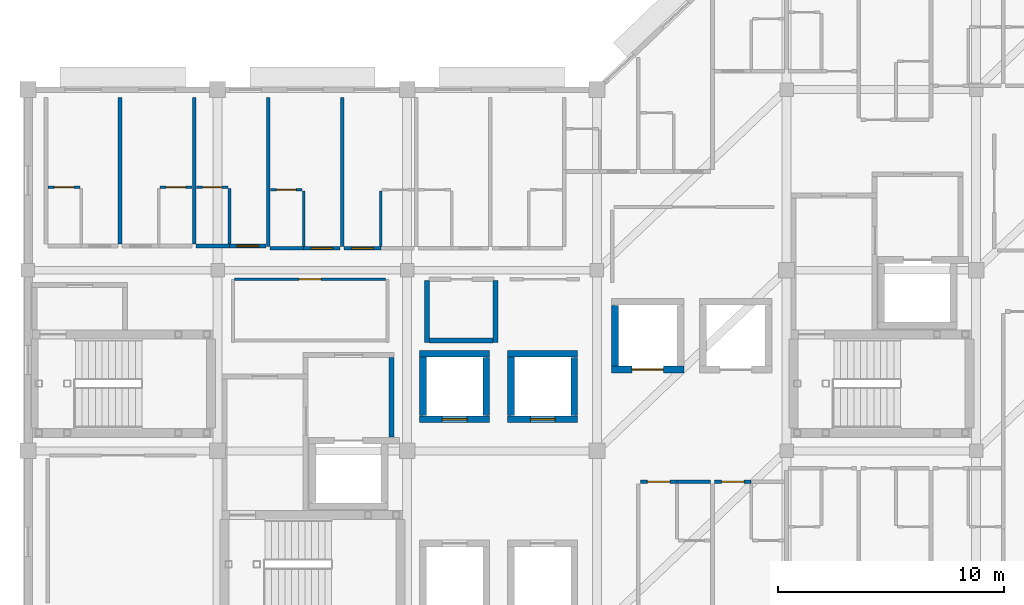
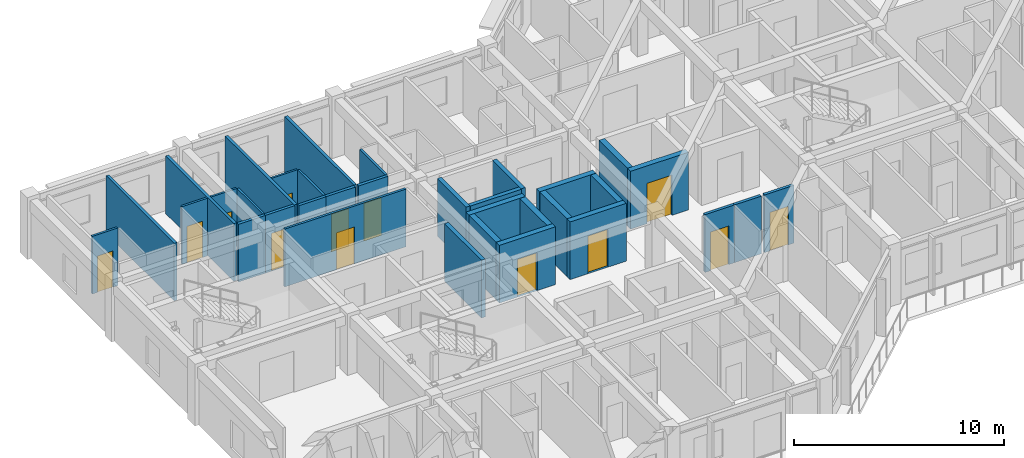
# One storey, part 7 of 15: 34 walls, 13 doors, 13 openings.
"""IFC4 building model written with IfcOpenShell, lengths in metres."""

from ifc_helpers import new_model, si_unit, direction, frame, frame_2d, origin, place, context, subcontext, project, spatial, rectangle, extrude, material, layer, layer_set, type_object, element, fill, save


model = new_model("IFC4")

# Units and contexts
model_context = context("Model", 3, precision=1e-05, world=origin(), true_north=direction((0.0, 1.0)))
body_context = subcontext(model_context, "Body", "Model", "MODEL_VIEW")
ifc_project = project(units=[si_unit("LENGTHUNIT", "METRE"), si_unit("AREAUNIT", "SQUARE_METRE"), si_unit("VOLUMEUNIT", "CUBIC_METRE"), si_unit("PLANEANGLEUNIT", "RADIAN"), si_unit("MASSUNIT", "GRAM", prefix="KILO")], contexts=[model_context])

# Site, building, storey
site_placement = place(None, origin())
site = spatial("IfcSite", under=ifc_project, at=site_placement, CompositionType="ELEMENT")
building_placement = place(site_placement, origin())
building = spatial("IfcBuilding", under=site, at=building_placement, Name="Naruveol Harbour Congress Hotel", CompositionType="ELEMENT")
storey_placement = place(building_placement, frame((0.0, 0.0, 36.0)))
storey = spatial("IfcBuildingStorey", under=building, at=storey_placement, Name="L08", CompositionType="ELEMENT", Elevation=36.0)

# Wall, opening, door
ifc_material_1 = material(Name="Moisture-Resistant Gypsum Partition", Category="gypsum")
ifc_layer_1 = layer(ifc_material_1, 0.114990234375)
ifc_layer_set_1 = layer_set([ifc_layer_1], Name="Moisture-Resistant Gypsum Partition")
wall_type_1 = type_object("IfcWallType", Name="BATHROOM MOISTURE PARTITION WALL 115", PredefinedType="PARTITIONING", material=ifc_layer_set_1)
wall_1_placement = place(storey_placement, frame((118.5, 27.669921875, 0.0), z_axis=(0.0, 0.0, 1.0), x_axis=(1.0, 0.0, 0.0)))
wall_1 = element("IfcWall", 1, at=wall_1_placement, inside=storey, type_object=wall_type_1, Name="Bathroom north wall 0936 PW-115", PredefinedType="PARTITIONING", context=body_context, shape_type="SweptSolid", body=[
    extrude(rectangle(XDim=1.409912109375, YDim=0.114990234375, at=frame_2d((0.705078125, 0.0))), origin(), (0.0, 0.0, 1.0), 3.364990234375),
])
opening_1_placement = place(wall_1_placement, frame((0.27490234375, 0.0, 0.0)))
opening_1 = element("IfcOpeningElement", 2, at=opening_1_placement, cuts=wall_1, Name="Opening BD-RM0936", PredefinedType="OPENING", context=body_context, shape_type="SweptSolid", body=[
    extrude(rectangle(XDim=0.860107421875, YDim=2.1201171875, at=frame_2d((0.43017578125, 1.06005859375))), frame((0.0, 0.0673828125, 0.0), z_axis=(0.0, -1.0, 0.0), x_axis=(1.0, 0.0, 0.0)), (0.0, 0.0, 1.0), 0.135009765625),
])
ifc_material_2 = material(Name="Timber & Steel Acoustic Leaf", Category="steel")
door_type_1 = type_object("IfcDoorType", Name="GUEST BATHROOM DOOR 860X2120", OperationType="NOTDEFINED", PredefinedType="DOOR", material=ifc_material_2)
door_1_placement = place(opening_1_placement, origin())
door_1 = element("IfcDoor", 3, at=door_1_placement, inside=storey, type_object=door_type_1, Name="Bathroom Door 0936", OperationType="SINGLE_SWING_RIGHT", OverallHeight=2.1201171875, OverallWidth=0.860107421875, PredefinedType="DOOR", context=body_context, shape_type="SweptSolid", body=[
    extrude(rectangle(XDim=0.860107421875, YDim=2.1201171875, at=frame_2d((0.43017578125, 1.06005859375))), frame((0.0, 0.02490234375, 0.0), z_axis=(0.0, -1.0, 0.0), x_axis=(1.0, 0.0, 0.0)), (0.0, 0.0, 1.0), 0.050048828125),
])
fill(opening_1, door_1)

wall_2_placement = place(storey_placement, frame((123.449951171875, 27.669921875, 0.0), z_axis=(0.0, 0.0, 1.0), x_axis=(1.0, 0.0, 0.0)))
wall_2 = element("IfcWall", 4, at=wall_2_placement, inside=storey, type_object=wall_type_1, Name="Bathroom north wall 0937 PW-115", PredefinedType="PARTITIONING", context=body_context, shape_type="SweptSolid", body=[
    extrude(rectangle(XDim=1.41015625, YDim=0.114990234375, at=frame_2d((0.705078125, 0.0))), origin(), (0.0, 0.0, 1.0), 3.364990234375),
])
opening_2_placement = place(wall_2_placement, frame((0.27490234375, 0.0, 0.0)))
opening_2 = element("IfcOpeningElement", 5, at=opening_2_placement, cuts=wall_2, Name="Opening BD-RM0937", PredefinedType="OPENING", context=body_context, shape_type="SweptSolid", body=[
    extrude(rectangle(XDim=0.860107421875, YDim=2.1201171875, at=frame_2d((0.43017578125, 1.06005859375))), frame((0.0, 0.0673828125, 0.0), z_axis=(0.0, -1.0, 0.0), x_axis=(1.0, 0.0, 0.0)), (0.0, 0.0, 1.0), 0.135009765625),
])
door_2_placement = place(opening_2_placement, origin())
door_2 = element("IfcDoor", 6, at=door_2_placement, inside=storey, type_object=door_type_1, Name="Bathroom Door 0937", OperationType="SINGLE_SWING_RIGHT", OverallHeight=2.1201171875, OverallWidth=0.860107421875, PredefinedType="DOOR", context=body_context, shape_type="SweptSolid", body=[
    extrude(rectangle(XDim=0.860107421875, YDim=2.1201171875, at=frame_2d((0.43017578125, 1.06005859375))), frame((0.0, 0.02490234375, 0.0), z_axis=(0.0, -1.0, 0.0), x_axis=(1.0, 0.0, 0.0)), (0.0, 0.0, 1.0), 0.050048828125),
])
fill(opening_2, door_2)

# Wall
wall_3_placement = place(storey_placement, frame((126.530029296875, 25.159912109375, 0.0), z_axis=(0.0, 0.0, 1.0), x_axis=(0.0, 1.0, 0.0)))
element("IfcWall", 7, at=wall_3_placement, inside=storey, type_object=wall_type_1, Name="Bathroom east wall 0938 PW-115", PredefinedType="PARTITIONING", context=body_context, shape_type="SweptSolid", body=[
    extrude(rectangle(XDim=2.4501953125, YDim=0.114990234375, at=frame_2d((1.22509765625, 0.0))), origin(), (0.0, 0.0, 1.0), 3.364990234375),
])

# Wall, opening, door
wall_4_placement = place(storey_placement, frame((125.06005859375, 27.669921875, 0.0), z_axis=(0.0, 0.0, 1.0), x_axis=(1.0, 0.0, 0.0)))
wall_4 = element("IfcWall", 8, at=wall_4_placement, inside=storey, type_object=wall_type_1, Name="Bathroom north wall 0938 PW-115", PredefinedType="PARTITIONING", context=body_context, shape_type="SweptSolid", body=[
    extrude(rectangle(XDim=1.409912109375, YDim=0.114990234375, at=frame_2d((0.705078125, 0.0))), origin(), (0.0, 0.0, 1.0), 3.364990234375),
])
opening_3_placement = place(wall_4_placement, frame((0.27490234375, 0.0, 0.0)))
opening_3 = element("IfcOpeningElement", 9, at=opening_3_placement, cuts=wall_4, Name="Opening BD-RM0938", PredefinedType="OPENING", context=body_context, shape_type="SweptSolid", body=[
    extrude(rectangle(XDim=0.860107421875, YDim=2.1201171875, at=frame_2d((0.43017578125, 1.06005859375))), frame((0.0, 0.0673828125, 0.0), z_axis=(0.0, -1.0, 0.0), x_axis=(1.0, 0.0, 0.0)), (0.0, 0.0, 1.0), 0.135009765625),
])
door_3_placement = place(opening_3_placement, origin())
door_3 = element("IfcDoor", 10, at=door_3_placement, inside=storey, type_object=door_type_1, Name="Bathroom Door 0938", OperationType="SINGLE_SWING_RIGHT", OverallHeight=2.1201171875, OverallWidth=0.860107421875, PredefinedType="DOOR", context=body_context, shape_type="SweptSolid", body=[
    extrude(rectangle(XDim=0.860107421875, YDim=2.1201171875, at=frame_2d((0.43017578125, 1.06005859375))), frame((0.0, 0.02490234375, 0.0), z_axis=(0.0, -1.0, 0.0), x_axis=(1.0, 0.0, 0.0)), (0.0, 0.0, 1.0), 0.050048828125),
])
fill(opening_3, door_3)

# Wall
wall_5_placement = place(storey_placement, frame((129.81005859375, 25.06005859375, 0.0), z_axis=(0.0, 0.0, 1.0), x_axis=(0.0, 1.0, 0.0)))
element("IfcWall", 11, at=wall_5_placement, inside=storey, type_object=wall_type_1, Name="Bathroom east wall 0939 PW-115", PredefinedType="PARTITIONING", context=body_context, shape_type="SweptSolid", body=[
    extrude(rectangle(XDim=2.449951171875, YDim=0.114990234375, at=frame_2d((1.22509765625, 0.0))), origin(), (0.0, 0.0, 1.0), 3.364990234375),
])

# Wall, opening, door
wall_6_placement = place(storey_placement, frame((128.340087890625, 27.570068359375, 0.0), z_axis=(0.0, 0.0, 1.0), x_axis=(1.0, 0.0, 0.0)))
wall_6 = element("IfcWall", 12, at=wall_6_placement, inside=storey, type_object=wall_type_1, Name="Bathroom north wall 0939 PW-115", PredefinedType="PARTITIONING", context=body_context, shape_type="SweptSolid", body=[
    extrude(rectangle(XDim=1.409912109375, YDim=0.114990234375, at=frame_2d((0.705078125, 0.0))), origin(), (0.0, 0.0, 1.0), 3.364990234375),
])
opening_4_placement = place(wall_6_placement, frame((0.27490234375, 0.0, 0.0)))
opening_4 = element("IfcOpeningElement", 13, at=opening_4_placement, cuts=wall_6, Name="Opening BD-RM0939", PredefinedType="OPENING", context=body_context, shape_type="SweptSolid", body=[
    extrude(rectangle(XDim=0.860107421875, YDim=2.1201171875, at=frame_2d((0.43017578125, 1.06005859375))), frame((0.0, 0.0673828125, 0.0), z_axis=(0.0, -1.0, 0.0), x_axis=(1.0, 0.0, 0.0)), (0.0, 0.0, 1.0), 0.135009765625),
])
door_4_placement = place(opening_4_placement, origin())
door_4 = element("IfcDoor", 14, at=door_4_placement, inside=storey, type_object=door_type_1, Name="Bathroom Door 0939", OperationType="SINGLE_SWING_RIGHT", OverallHeight=2.1201171875, OverallWidth=0.860107421875, PredefinedType="DOOR", context=body_context, shape_type="SweptSolid", body=[
    extrude(rectangle(XDim=0.860107421875, YDim=2.1201171875, at=frame_2d((0.43017578125, 1.06005859375))), frame((0.0, 0.02490234375, 0.0), z_axis=(0.0, -1.0, 0.0), x_axis=(1.0, 0.0, 0.0)), (0.0, 0.0, 1.0), 0.050048828125),
])
fill(opening_4, door_4)

# Walls
wall_7_placement = place(storey_placement, frame((133.22998046875, 25.06005859375, 0.0), z_axis=(0.0, 0.0, 1.0), x_axis=(0.0, 1.0, 0.0)))
element("IfcWall", 15, at=wall_7_placement, inside=storey, type_object=wall_type_1, Name="Bathroom west wall 0940 PW-115", PredefinedType="PARTITIONING", context=body_context, shape_type="SweptSolid", body=[
    extrude(rectangle(XDim=2.449951171875, YDim=0.114990234375, at=frame_2d((1.22509765625, 0.0))), origin(), (0.0, 0.0, 1.0), 3.364990234375),
])
ifc_material_3 = material(Name="Concrete C40/50", Category="concrete")
ifc_layer_2 = layer(ifc_material_3, 0.219970703125)
ifc_layer_set_2 = layer_set([ifc_layer_2], Name="Concrete C40/50")
wall_type_2 = type_object("IfcWallType", Name="FIRE COMPARTMENT AND LOBBY WALL 220 EI120", PredefinedType="PARTITIONING", material=ifc_layer_set_2)
wall_8_placement = place(storey_placement, frame((133.699951171875, 16.60498046875, 0.0), z_axis=(0.0, 0.0, 1.0), x_axis=(0.0, 1.0, 0.0)))
element("IfcWall", 16, at=wall_8_placement, inside=storey, type_object=wall_type_2, Name="Firefighting lift lobby ST1 east wall FW-220", PredefinedType="PARTITIONING", context=body_context, shape_type="SweptSolid", body=[
    extrude(rectangle(XDim=3.530029296875, YDim=0.219970703125, at=frame_2d((1.76513671875, 0.0))), origin(), (0.0, 0.0, 1.0), 3.364990234375),
])
for number, where, z_axis, x_axis, name in (
    (17, (135.280029296875, 20.800048828125, 0.0), (0.0, 0.0, 1.0), (0.0, 1.0, 0.0), "Housekeeping Pantry west enclosure partition FW-220"),
    (18, (138.320068359375, 20.800048828125, 0.0), (0.0, 0.0, 1.0), (0.0, 1.0, 0.0), "Housekeeping Pantry east enclosure partition FW-220"),
):
    element("IfcWall", number, at=place(storey_placement, frame(where, z_axis=z_axis, x_axis=x_axis)), inside=storey, type_object=wall_type_2, Name=name, PredefinedType="PARTITIONING", context=body_context, shape_type="SweptSolid", body=[
        extrude(rectangle(XDim=2.748046875, YDim=0.219970703125, at=frame_2d((1.3740234375, 0.0))), origin(), (0.0, 0.0, 1.0), 3.364990234375),
    ])
wall_9_placement = place(storey_placement, frame((135.389892578125, 20.8798828125, 0.0), z_axis=(0.0, 0.0, 1.0), x_axis=(1.0, 0.0, 0.0)))
element("IfcWall", 19, at=wall_9_placement, inside=storey, type_object=wall_type_2, Name="Housekeeping Pantry south enclosure partition FW-220", PredefinedType="PARTITIONING", context=body_context, shape_type="SweptSolid", body=[
    extrude(rectangle(XDim=2.820068359375, YDim=0.219970703125, at=frame_2d((1.41015625, 0.0))), origin(), (0.0, 0.0, 1.0), 3.364990234375),
])
ifc_material_4 = material(Name="Autoclaved Aerated Concrete Block", Category="concrete")
ifc_layer_3 = layer(ifc_material_4, 0.159912109375)
ifc_layer_set_3 = layer_set([ifc_layer_3], Name="Autoclaved Aerated Concrete Block")
wall_type_3 = type_object("IfcWallType", Name="HOTEL PARTY AND CORRIDOR WALL 160 EI60", PredefinedType="PARTITIONING", material=ifc_layer_set_3)
wall_10_placement = place(storey_placement, frame((121.679931640625, 25.159912109375, 0.0), z_axis=(0.0, 0.0, 1.0), x_axis=(0.0, 1.0, 0.0)))
element("IfcWall", 20, at=wall_10_placement, inside=storey, type_object=wall_type_3, Name="Hotel party wall 0937 PW-160", PredefinedType="PARTITIONING", context=body_context, shape_type="SweptSolid", body=[
    extrude(rectangle(XDim=6.5, YDim=0.159912109375, at=frame_2d((3.25, 0.0))), origin(), (0.0, 0.0, 1.0), 3.364990234375),
])
wall_11_placement = place(storey_placement, frame((125.050048828125, 25.070068359375, 0.0), z_axis=(0.0, 0.0, 1.0), x_axis=(1.0, 0.0, 0.0)))
element("IfcWall", 21, at=wall_11_placement, inside=storey, type_object=wall_type_3, Name="Corridor wall 0938B PW-160", PredefinedType="PARTITIONING", context=body_context, shape_type="SweptSolid", body=[
    extrude(rectangle(XDim=1.469970703125, YDim=0.159912109375, at=frame_2d((0.73486328125, 0.0))), origin(), (0.0, 0.0, 1.0), 3.364990234375),
])

# Wall, opening, door
wall_12_placement = place(storey_placement, frame((126.530029296875, 25.070068359375, 0.0), z_axis=(0.0, 0.0, 1.0), x_axis=(1.0, 0.0, 0.0)))
wall_12 = element("IfcWall", 22, at=wall_12_placement, inside=storey, type_object=wall_type_3, Name="Corridor entry wall 0938 PW-160", PredefinedType="PARTITIONING", context=body_context, shape_type="SweptSolid", body=[
    extrude(rectangle(XDim=1.619873046875, YDim=0.159912109375, at=frame_2d((0.81005859375, 0.0))), origin(), (0.0, 0.0, 1.0), 3.364990234375),
])
opening_5_placement = place(wall_12_placement, frame((0.330078125, 0.0, 0.0)))
opening_5 = element("IfcOpeningElement", 23, at=opening_5_placement, cuts=wall_12, Name="Opening FD-RM0938", PredefinedType="OPENING", context=body_context, shape_type="SweptSolid", body=[
    extrude(rectangle(XDim=0.9599609375, YDim=2.199951171875, at=frame_2d((0.47998046875, 1.10009765625))), frame((0.0, 0.08984375, 0.0), z_axis=(0.0, -1.0, 0.0), x_axis=(1.0, 0.0, 0.0)), (0.0, 0.0, 1.0), 0.179931640625),
])
ifc_material_5 = material(Name="Timber & Steel Acoustic Leaf", Category="steel")
door_type_2 = type_object("IfcDoorType", Name="GUEST ROOM ENTRANCE FIRE DOOR 960X2200", OperationType="NOTDEFINED", PredefinedType="DOOR", material=ifc_material_5)
door_5_placement = place(opening_5_placement, origin())
door_5 = element("IfcDoor", 24, at=door_5_placement, inside=storey, type_object=door_type_2, Name="Hotel Room Door 0938", OperationType="SINGLE_SWING_LEFT", OverallHeight=2.199951171875, OverallWidth=0.9599609375, PredefinedType="DOOR", context=body_context, shape_type="SweptSolid", body=[
    extrude(rectangle(XDim=0.9599609375, YDim=2.199951171875, at=frame_2d((0.47998046875, 1.10009765625))), frame((0.0, 0.02490234375, 0.0), z_axis=(0.0, -1.0, 0.0), x_axis=(1.0, 0.0, 0.0)), (0.0, 0.0, 1.0), 0.050048828125),
])
fill(opening_5, door_5)

# Walls
wall_13_placement = place(storey_placement, frame((124.9599609375, 25.159912109375, 0.0), z_axis=(0.0, 0.0, 1.0), x_axis=(0.0, 1.0, 0.0)))
element("IfcWall", 25, at=wall_13_placement, inside=storey, type_object=wall_type_3, Name="Hotel party wall 0938 PW-160", PredefinedType="PARTITIONING", context=body_context, shape_type="SweptSolid", body=[
    extrude(rectangle(XDim=6.5, YDim=0.159912109375, at=frame_2d((3.25, 0.0))), origin(), (0.0, 0.0, 1.0), 3.364990234375),
])
wall_14_placement = place(storey_placement, frame((128.330078125, 24.969970703125, 0.0), z_axis=(0.0, 0.0, 1.0), x_axis=(1.0, 0.0, 0.0)))
element("IfcWall", 26, at=wall_14_placement, inside=storey, type_object=wall_type_3, Name="Corridor wall 0939B PW-160", PredefinedType="PARTITIONING", context=body_context, shape_type="SweptSolid", body=[
    extrude(rectangle(XDim=1.469970703125, YDim=0.159912109375, at=frame_2d((0.73486328125, 0.0))), origin(), (0.0, 0.0, 1.0), 3.364990234375),
])

# Wall, opening, door
wall_15_placement = place(storey_placement, frame((129.81005859375, 24.969970703125, 0.0), z_axis=(0.0, 0.0, 1.0), x_axis=(1.0, 0.0, 0.0)))
wall_15 = element("IfcWall", 27, at=wall_15_placement, inside=storey, type_object=wall_type_3, Name="Corridor entry wall 0939 PW-160", PredefinedType="PARTITIONING", context=body_context, shape_type="SweptSolid", body=[
    extrude(rectangle(XDim=1.619873046875, YDim=0.159912109375, at=frame_2d((0.81005859375, 0.0))), origin(), (0.0, 0.0, 1.0), 3.364990234375),
])
opening_6_placement = place(wall_15_placement, frame((0.330078125, 0.0, 0.0)))
opening_6 = element("IfcOpeningElement", 28, at=opening_6_placement, cuts=wall_15, Name="Opening FD-RM0939", PredefinedType="OPENING", context=body_context, shape_type="SweptSolid", body=[
    extrude(rectangle(XDim=0.9599609375, YDim=2.199951171875, at=frame_2d((0.47998046875, 1.10009765625))), frame((0.0, 0.08984375, 0.0), z_axis=(0.0, -1.0, 0.0), x_axis=(1.0, 0.0, 0.0)), (0.0, 0.0, 1.0), 0.179931640625),
])
door_6_placement = place(opening_6_placement, origin())
door_6 = element("IfcDoor", 29, at=door_6_placement, inside=storey, type_object=door_type_2, Name="Hotel Room Door 0939", OperationType="SINGLE_SWING_LEFT", OverallHeight=2.199951171875, OverallWidth=0.9599609375, PredefinedType="DOOR", context=body_context, shape_type="SweptSolid", body=[
    extrude(rectangle(XDim=0.9599609375, YDim=2.199951171875, at=frame_2d((0.47998046875, 1.10009765625))), frame((0.0, 0.02490234375, 0.0), z_axis=(0.0, -1.0, 0.0), x_axis=(1.0, 0.0, 0.0)), (0.0, 0.0, 1.0), 0.050048828125),
])
fill(opening_6, door_6)

# Wall
wall_16_placement = place(storey_placement, frame((128.239990234375, 25.06005859375, 0.0), z_axis=(0.0, 0.0, 1.0), x_axis=(0.0, 1.0, 0.0)))
element("IfcWall", 30, at=wall_16_placement, inside=storey, type_object=wall_type_3, Name="Hotel party wall 0939 PW-160", PredefinedType="PARTITIONING", context=body_context, shape_type="SweptSolid", body=[
    extrude(rectangle(XDim=6.599853515625, YDim=0.159912109375, at=frame_2d((3.2998046875, 0.0))), origin(), (0.0, 0.0, 1.0), 3.364990234375),
])

# Wall, opening, door
wall_17_placement = place(storey_placement, frame((131.610107421875, 24.969970703125, 0.0), z_axis=(0.0, 0.0, 1.0), x_axis=(1.0, 0.0, 0.0)))
wall_17 = element("IfcWall", 31, at=wall_17_placement, inside=storey, type_object=wall_type_3, Name="Corridor entry wall 0940 PW-160", PredefinedType="PARTITIONING", context=body_context, shape_type="SweptSolid", body=[
    extrude(rectangle(XDim=1.619873046875, YDim=0.159912109375, at=frame_2d((0.81005859375, 0.0))), origin(), (0.0, 0.0, 1.0), 3.364990234375),
])
opening_7_placement = place(wall_17_placement, frame((0.330078125, 0.0, 0.0)))
opening_7 = element("IfcOpeningElement", 32, at=opening_7_placement, cuts=wall_17, Name="Opening FD-RM0940", PredefinedType="OPENING", context=body_context, shape_type="SweptSolid", body=[
    extrude(rectangle(XDim=0.9599609375, YDim=2.199951171875, at=frame_2d((0.47998046875, 1.10009765625))), frame((0.0, 0.08984375, 0.0), z_axis=(0.0, -1.0, 0.0), x_axis=(1.0, 0.0, 0.0)), (0.0, 0.0, 1.0), 0.179931640625),
])
door_7_placement = place(opening_7_placement, origin())
door_7 = element("IfcDoor", 33, at=door_7_placement, inside=storey, type_object=door_type_2, Name="Hotel Room Door 0940", OperationType="SINGLE_SWING_LEFT", OverallHeight=2.199951171875, OverallWidth=0.9599609375, PredefinedType="DOOR", context=body_context, shape_type="SweptSolid", body=[
    extrude(rectangle(XDim=0.9599609375, YDim=2.199951171875, at=frame_2d((0.47998046875, 1.10009765625))), frame((0.0, 0.02490234375, 0.0), z_axis=(0.0, -1.0, 0.0), x_axis=(1.0, 0.0, 0.0)), (0.0, 0.0, 1.0), 0.050048828125),
])
fill(opening_7, door_7)

# Wall
wall_18_placement = place(storey_placement, frame((131.52001953125, 25.06005859375, 0.0), z_axis=(0.0, 0.0, 1.0), x_axis=(0.0, 1.0, 0.0)))
element("IfcWall", 34, at=wall_18_placement, inside=storey, type_object=wall_type_3, Name="Hotel party wall 0940 PW-160", PredefinedType="PARTITIONING", context=body_context, shape_type="SweptSolid", body=[
    extrude(rectangle(XDim=6.599853515625, YDim=0.159912109375, at=frame_2d((3.2998046875, 0.0))), origin(), (0.0, 0.0, 1.0), 3.364990234375),
])

# Wall, opening, door
wall_19_placement = place(storey_placement, frame((144.72998046875, 14.6298828125, 0.0), z_axis=(0.0, 0.0, 1.0), x_axis=(1.0, 0.0, 0.0)))
wall_19 = element("IfcWall", 35, at=wall_19_placement, inside=storey, type_object=wall_type_3, Name="Corridor entry wall 0929 PW-160", PredefinedType="PARTITIONING", context=body_context, shape_type="SweptSolid", body=[
    extrude(rectangle(XDim=1.6201171875, YDim=0.159912109375, at=frame_2d((0.81005859375, 0.0))), origin(), (0.0, 0.0, 1.0), 3.364990234375),
])
opening_8_placement = place(wall_19_placement, frame((0.31005859375, 0.0, 0.0)))
opening_8 = element("IfcOpeningElement", 36, at=opening_8_placement, cuts=wall_19, Name="Opening FD-RM0929", PredefinedType="OPENING", context=body_context, shape_type="SweptSolid", body=[
    extrude(rectangle(XDim=1.0, YDim=2.25, at=frame_2d((0.5, 1.125))), frame((0.0, 0.08984375, 0.0), z_axis=(0.0, -1.0, 0.0), x_axis=(1.0, 0.0, 0.0)), (0.0, 0.0, 1.0), 0.179931640625),
])
ifc_material_6 = material(Name="Timber & Steel Acoustic Leaf", Category="steel")
door_type_3 = type_object("IfcDoorType", Name="DELUXE GUEST ENTRANCE FIRE DOOR 1000X2250", OperationType="NOTDEFINED", PredefinedType="DOOR", material=ifc_material_6)
door_8_placement = place(opening_8_placement, origin())
door_8 = element("IfcDoor", 37, at=door_8_placement, inside=storey, type_object=door_type_3, Name="Hotel Room Door 0929", OperationType="SINGLE_SWING_LEFT", OverallHeight=2.25, OverallWidth=1.0, PredefinedType="DOOR", context=body_context, shape_type="SweptSolid", body=[
    extrude(rectangle(XDim=1.0, YDim=2.25, at=frame_2d((0.5, 1.125))), frame((0.0, 0.02490234375, 0.0), z_axis=(0.0, -1.0, 0.0), x_axis=(1.0, 0.0, 0.0)), (0.0, 0.0, 1.0), 0.050048828125),
])
fill(opening_8, door_8)

# Wall
wall_20_placement = place(storey_placement, frame((146.360107421875, 14.6298828125, 0.0), z_axis=(0.0, 0.0, 1.0), x_axis=(1.0, 0.0, 0.0)))
element("IfcWall", 38, at=wall_20_placement, inside=storey, type_object=wall_type_3, Name="Corridor wall 0929B PW-160", PredefinedType="PARTITIONING", context=body_context, shape_type="SweptSolid", body=[
    extrude(rectangle(XDim=1.469970703125, YDim=0.159912109375, at=frame_2d((0.73486328125, 0.0))), origin(), (0.0, 0.0, 1.0), 3.364990234375),
])

# Wall, opening, door
wall_21_placement = place(storey_placement, frame((148.010009765625, 14.6298828125, 0.0), z_axis=(0.0, 0.0, 1.0), x_axis=(1.0, 0.0, 0.0)))
wall_21 = element("IfcWall", 39, at=wall_21_placement, inside=storey, type_object=wall_type_3, Name="Corridor entry wall 0930 PW-160", PredefinedType="PARTITIONING", context=body_context, shape_type="SweptSolid", body=[
    extrude(rectangle(XDim=1.619873046875, YDim=0.159912109375, at=frame_2d((0.81005859375, 0.0))), origin(), (0.0, 0.0, 1.0), 3.364990234375),
])
opening_9_placement = place(wall_21_placement, frame((0.31005859375, 0.0, 0.0)))
opening_9 = element("IfcOpeningElement", 40, at=opening_9_placement, cuts=wall_21, Name="Opening FD-RM0930", PredefinedType="OPENING", context=body_context, shape_type="SweptSolid", body=[
    extrude(rectangle(XDim=1.0, YDim=2.25, at=frame_2d((0.5, 1.125))), frame((0.0, 0.08984375, 0.0), z_axis=(0.0, -1.0, 0.0), x_axis=(1.0, 0.0, 0.0)), (0.0, 0.0, 1.0), 0.179931640625),
])
door_9_placement = place(opening_9_placement, origin())
door_9 = element("IfcDoor", 41, at=door_9_placement, inside=storey, type_object=door_type_3, Name="Hotel Room Door 0930", OperationType="SINGLE_SWING_LEFT", OverallHeight=2.25, OverallWidth=1.0, PredefinedType="DOOR", context=body_context, shape_type="SweptSolid", body=[
    extrude(rectangle(XDim=1.0, YDim=2.25, at=frame_2d((0.5, 1.125))), frame((0.0, 0.02490234375, 0.0), z_axis=(0.0, -1.0, 0.0), x_axis=(1.0, 0.0, 0.0)), (0.0, 0.0, 1.0), 0.050048828125),
])
fill(opening_9, door_9)

ifc_material_7 = material(Name="Concrete C50/60", Category="concrete")
ifc_layer_4 = layer(ifc_material_7, 0.300048828125)
ifc_layer_set_4 = layer_set([ifc_layer_4], Name="Concrete C50/60")
wall_type_4 = type_object("IfcWallType", Name="RC STAIR AND HOISTWAY SHEAR WALL 300 EI120", PredefinedType="SHEAR", material=ifc_layer_set_4)
wall_22_placement = place(storey_placement, frame((134.949951171875, 17.39990234375, 0.0), z_axis=(0.0, 0.0, 1.0), x_axis=(1.0, 0.0, 0.0)))
wall_22 = element("IfcWall", 42, at=wall_22_placement, inside=storey, type_object=wall_type_4, Name="Hoistway south shear wall PL1 SW-300", PredefinedType="SHEAR", context=body_context, shape_type="SweptSolid", body=[
    extrude(rectangle(XDim=3.10009765625, YDim=0.300048828125, at=frame_2d((1.550048828125, 0.0))), origin(), (0.0, 0.0, 1.0), 3.364990234375),
])
opening_10_placement = place(wall_22_placement, frame((1.0, 0.0, 0.0)))
opening_10 = element("IfcOpeningElement", 43, at=opening_10_placement, cuts=wall_22, Name="Opening LD-PL1-L08", PredefinedType="OPENING", context=body_context, shape_type="SweptSolid", body=[
    extrude(rectangle(XDim=1.10009765625, YDim=2.199951171875, at=frame_2d((0.550048828125, 1.10009765625))), frame((0.0, 0.159912109375, 0.0), z_axis=(0.0, -1.0, 0.0), x_axis=(1.0, 0.0, 0.0)), (0.0, 0.0, 1.0), 0.320068359375),
])
ifc_material_8 = material(Name="Stainless Steel Lift Door", Category="steel")
door_type_4 = type_object("IfcDoorType", Name="PASSENGER LIFT LANDING DOOR 1100X2200", OperationType="DOUBLE_DOOR_SLIDING", PredefinedType="DOOR", material=ifc_material_8)
door_10_placement = place(opening_10_placement, origin())
door_10 = element("IfcDoor", 44, at=door_10_placement, inside=storey, type_object=door_type_4, Name="Elevator Landing Door PL1 L08", OperationType="DOUBLE_DOOR_SLIDING", OverallHeight=2.199951171875, OverallWidth=1.10009765625, PredefinedType="DOOR", context=body_context, shape_type="SweptSolid", body=[
    extrude(rectangle(XDim=1.10009765625, YDim=2.199951171875, at=frame_2d((0.550048828125, 1.10009765625))), frame((0.0, 0.02490234375, 0.0), z_axis=(0.0, -1.0, 0.0), x_axis=(1.0, 0.0, 0.0)), (0.0, 0.0, 1.0), 0.050048828125),
])
fill(opening_10, door_10)

# Walls
wall_23_placement = place(storey_placement, frame((137.89990234375, 17.554931640625, 0.0), z_axis=(0.0, 0.0, 1.0), x_axis=(0.0, 1.0, 0.0)))
element("IfcWall", 45, at=wall_23_placement, inside=storey, type_object=wall_type_4, Name="Hoistway east shear wall PL1 SW-300", PredefinedType="SHEAR", context=body_context, shape_type="SweptSolid", body=[
    extrude(rectangle(XDim=2.590087890625, YDim=0.300048828125, at=frame_2d((1.294921875, 0.0))), origin(), (0.0, 0.0, 1.0), 3.364990234375),
])
wall_24_placement = place(storey_placement, frame((138.050048828125, 20.300048828125, 0.0), z_axis=(0.0, 0.0, 1.0), x_axis=(-1.0, 0.0, 0.0)))
element("IfcWall", 46, at=wall_24_placement, inside=storey, type_object=wall_type_4, Name="Hoistway north shear wall PL1 SW-300", PredefinedType="SHEAR", context=body_context, shape_type="SweptSolid", body=[
    extrude(rectangle(XDim=3.10009765625, YDim=0.300048828125, at=frame_2d((1.550048828125, 0.0))), origin(), (0.0, 0.0, 1.0), 3.364990234375),
])
wall_25_placement = place(storey_placement, frame((135.10009765625, 20.14501953125, 0.0), z_axis=(0.0, 0.0, 1.0), x_axis=(0.0, -1.0, 0.0)))
element("IfcWall", 47, at=wall_25_placement, inside=storey, type_object=wall_type_4, Name="Hoistway west shear wall PL1 SW-300", PredefinedType="SHEAR", context=body_context, shape_type="SweptSolid", body=[
    extrude(rectangle(XDim=2.590087890625, YDim=0.300048828125, at=frame_2d((1.294921875, 0.0))), origin(), (0.0, 0.0, 1.0), 3.364990234375),
])

# Wall, opening, door
wall_26_placement = place(storey_placement, frame((138.85009765625, 17.39990234375, 0.0), z_axis=(0.0, 0.0, 1.0), x_axis=(1.0, 0.0, 0.0)))
wall_26 = element("IfcWall", 48, at=wall_26_placement, inside=storey, type_object=wall_type_4, Name="Hoistway south shear wall PL2 SW-300", PredefinedType="SHEAR", context=body_context, shape_type="SweptSolid", body=[
    extrude(rectangle(XDim=3.099853515625, YDim=0.300048828125, at=frame_2d((1.5498046875, 0.0))), origin(), (0.0, 0.0, 1.0), 3.364990234375),
])
opening_11_placement = place(wall_26_placement, frame((1.0, 0.0, 0.0)))
opening_11 = element("IfcOpeningElement", 49, at=opening_11_placement, cuts=wall_26, Name="Opening LD-PL2-L08", PredefinedType="OPENING", context=body_context, shape_type="SweptSolid", body=[
    extrude(rectangle(XDim=1.10009765625, YDim=2.199951171875, at=frame_2d((0.550048828125, 1.10009765625))), frame((0.0, 0.159912109375, 0.0), z_axis=(0.0, -1.0, 0.0), x_axis=(1.0, 0.0, 0.0)), (0.0, 0.0, 1.0), 0.320068359375),
])
door_11_placement = place(opening_11_placement, origin())
door_11 = element("IfcDoor", 50, at=door_11_placement, inside=storey, type_object=door_type_4, Name="Elevator Landing Door PL2 L08", OperationType="DOUBLE_DOOR_SLIDING", OverallHeight=2.199951171875, OverallWidth=1.10009765625, PredefinedType="DOOR", context=body_context, shape_type="SweptSolid", body=[
    extrude(rectangle(XDim=1.10009765625, YDim=2.199951171875, at=frame_2d((0.550048828125, 1.10009765625))), frame((0.0, 0.02490234375, 0.0), z_axis=(0.0, -1.0, 0.0), x_axis=(1.0, 0.0, 0.0)), (0.0, 0.0, 1.0), 0.050048828125),
])
fill(opening_11, door_11)

# Walls
wall_27_placement = place(storey_placement, frame((141.800048828125, 17.554931640625, 0.0), z_axis=(0.0, 0.0, 1.0), x_axis=(0.0, 1.0, 0.0)))
element("IfcWall", 51, at=wall_27_placement, inside=storey, type_object=wall_type_4, Name="Hoistway east shear wall PL2 SW-300", PredefinedType="SHEAR", context=body_context, shape_type="SweptSolid", body=[
    extrude(rectangle(XDim=2.590087890625, YDim=0.300048828125, at=frame_2d((1.294921875, 0.0))), origin(), (0.0, 0.0, 1.0), 3.364990234375),
])
wall_28_placement = place(storey_placement, frame((141.949951171875, 20.300048828125, 0.0), z_axis=(0.0, 0.0, 1.0), x_axis=(-1.0, 0.0, 0.0)))
element("IfcWall", 52, at=wall_28_placement, inside=storey, type_object=wall_type_4, Name="Hoistway north shear wall PL2 SW-300", PredefinedType="SHEAR", context=body_context, shape_type="SweptSolid", body=[
    extrude(rectangle(XDim=3.099853515625, YDim=0.300048828125, at=frame_2d((1.5498046875, 0.0))), origin(), (0.0, 0.0, 1.0), 3.364990234375),
])
wall_29_placement = place(storey_placement, frame((139.0, 20.14501953125, 0.0), z_axis=(0.0, 0.0, 1.0), x_axis=(0.0, -1.0, 0.0)))
element("IfcWall", 53, at=wall_29_placement, inside=storey, type_object=wall_type_4, Name="Hoistway west shear wall PL2 SW-300", PredefinedType="SHEAR", context=body_context, shape_type="SweptSolid", body=[
    extrude(rectangle(XDim=2.590087890625, YDim=0.300048828125, at=frame_2d((1.294921875, 0.0))), origin(), (0.0, 0.0, 1.0), 3.364990234375),
])

# Wall, opening, door
wall_30_placement = place(storey_placement, frame((143.449951171875, 19.60009765625, 0.0), z_axis=(0.0, 0.0, 1.0), x_axis=(1.0, 0.0, 0.0)))
wall_30 = element("IfcWall", 54, at=wall_30_placement, inside=storey, type_object=wall_type_4, Name="Hoistway south shear wall GL1 SW-300", PredefinedType="SHEAR", context=body_context, shape_type="SweptSolid", body=[
    extrude(rectangle(XDim=3.199951171875, YDim=0.300048828125, at=frame_2d((1.60009765625, 0.0))), origin(), (0.0, 0.0, 1.0), 3.364990234375),
])
opening_12_placement = place(wall_30_placement, frame((0.89990234375, 0.0, 0.0)))
opening_12 = element("IfcOpeningElement", 55, at=opening_12_placement, cuts=wall_30, Name="Opening LD-GL1-L08", PredefinedType="OPENING", context=body_context, shape_type="SweptSolid", body=[
    extrude(rectangle(XDim=1.39990234375, YDim=2.35009765625, at=frame_2d((0.699951171875, 1.175048828125))), frame((0.0, 0.159912109375, 0.0), z_axis=(0.0, -1.0, 0.0), x_axis=(1.0, 0.0, 0.0)), (0.0, 0.0, 1.0), 0.320068359375),
])
ifc_material_9 = material(Name="Stainless Steel Lift Door", Category="steel")
door_type_5 = type_object("IfcDoorType", Name="GOODS LIFT LANDING DOOR 1400X2350", OperationType="DOUBLE_DOOR_SLIDING", PredefinedType="DOOR", material=ifc_material_9)
door_12_placement = place(opening_12_placement, origin())
door_12 = element("IfcDoor", 56, at=door_12_placement, inside=storey, type_object=door_type_5, Name="Elevator Landing Door GL1 L08", OperationType="DOUBLE_DOOR_SLIDING", OverallHeight=2.35009765625, OverallWidth=1.39990234375, PredefinedType="DOOR", context=body_context, shape_type="SweptSolid", body=[
    extrude(rectangle(XDim=1.39990234375, YDim=2.35009765625, at=frame_2d((0.699951171875, 1.175048828125))), frame((0.0, 0.02490234375, 0.0), z_axis=(0.0, -1.0, 0.0), x_axis=(1.0, 0.0, 0.0)), (0.0, 0.0, 1.0), 0.050048828125),
])
fill(opening_12, door_12)

# Wall
wall_31_placement = place(storey_placement, frame((143.60009765625, 22.445068359375, 0.0), z_axis=(0.0, 0.0, 1.0), x_axis=(0.0, -1.0, 0.0)))
element("IfcWall", 57, at=wall_31_placement, inside=storey, type_object=wall_type_4, Name="Hoistway west shear wall GL1 SW-300", PredefinedType="SHEAR", context=body_context, shape_type="SweptSolid", body=[
    extrude(rectangle(XDim=2.690185546875, YDim=0.300048828125, at=frame_2d((1.34521484375, 0.0))), origin(), (0.0, 0.0, 1.0), 3.364990234375),
])

# Wall, opening, door
ifc_material_10 = material(Name="Acoustic Double Stud Gypsum", Category="gypsum")
ifc_layer_5 = layer(ifc_material_10, 0.125)
ifc_layer_set_5 = layer_set([ifc_layer_5], Name="Acoustic Double Stud Gypsum")
wall_type_5 = type_object("IfcWallType", Name="SERVICE CHASE PARTITION WALL 125", PredefinedType="PARTITIONING", material=ifc_layer_set_5)
wall_32_placement = place(storey_placement, frame((126.760009765625, 23.60009765625, 0.0), z_axis=(0.0, 0.0, 1.0), x_axis=(1.0, 0.0, 0.0)))
wall_32 = element("IfcWall", 58, at=wall_32_placement, inside=storey, type_object=wall_type_5, Name="Accessible Restroom north entry wall PW-125", PredefinedType="PARTITIONING", context=body_context, shape_type="SweptSolid", body=[
    extrude(rectangle(XDim=6.679931640625, YDim=0.125, at=frame_2d((3.33984375, 0.0))), origin(), (0.0, 0.0, 1.0), 3.364990234375),
])
opening_13_placement = place(wall_32_placement, frame((2.85009765625, 0.0, 0.0)))
opening_13 = element("IfcOpeningElement", 59, at=opening_13_placement, cuts=wall_32, Name="Opening BD-ACC-L08-126", PredefinedType="OPENING", context=body_context, shape_type="SweptSolid", body=[
    extrude(rectangle(XDim=0.97998046875, YDim=2.14990234375, at=frame_2d((0.489990234375, 1.074951171875))), frame((0.0, 0.072509765625, 0.0), z_axis=(0.0, -1.0, 0.0), x_axis=(1.0, 0.0, 0.0)), (0.0, 0.0, 1.0), 0.14501953125),
])
ifc_material_11 = material(Name="Timber & Steel Acoustic Leaf", Category="steel")
door_type_6 = type_object("IfcDoorType", Name="ACCESSIBLE RESTROOM DOOR 980X2150", OperationType="NOTDEFINED", PredefinedType="DOOR", material=ifc_material_11)
door_13_placement = place(opening_13_placement, origin())
door_13 = element("IfcDoor", 60, at=door_13_placement, inside=storey, type_object=door_type_6, Name="Accessible Restroom Door L08", OperationType="SINGLE_SWING_LEFT", OverallHeight=2.14990234375, OverallWidth=0.97998046875, PredefinedType="DOOR", context=body_context, shape_type="SweptSolid", body=[
    extrude(rectangle(XDim=0.97998046875, YDim=2.14990234375, at=frame_2d((0.489990234375, 1.074951171875))), frame((0.0, 0.02490234375, 0.0), z_axis=(0.0, -1.0, 0.0), x_axis=(1.0, 0.0, 0.0)), (0.0, 0.0, 1.0), 0.050048828125),
])
fill(opening_13, door_13)

save(model, "model.ifc")
